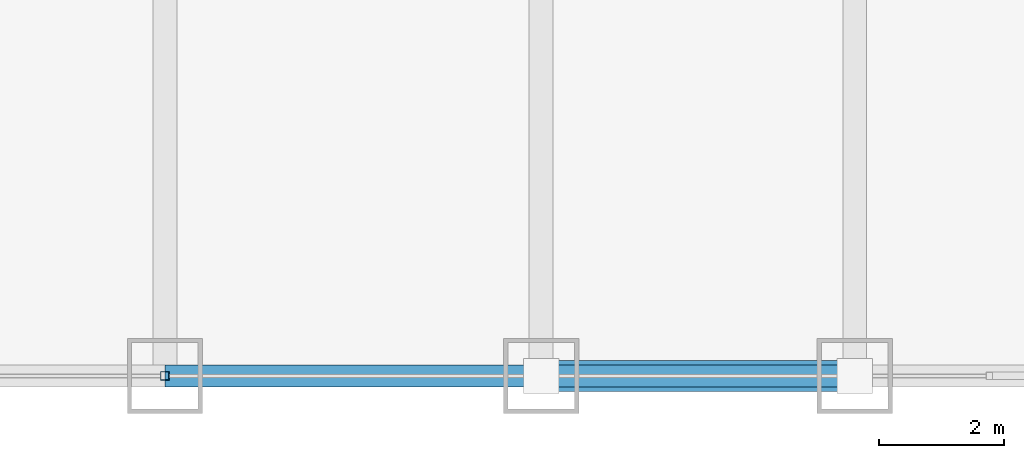
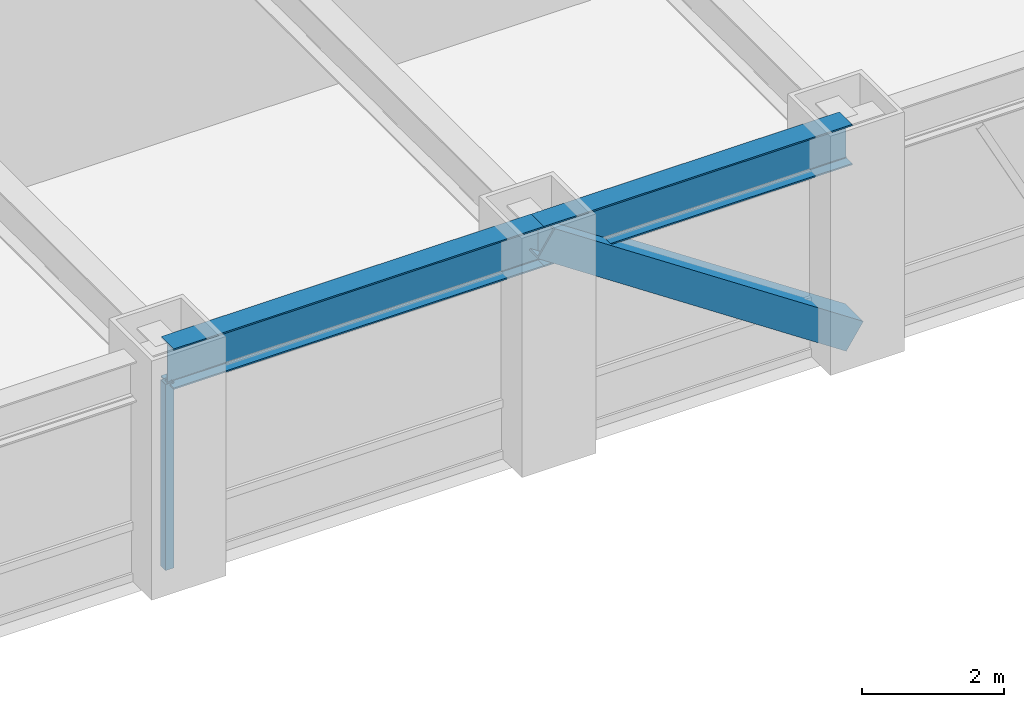
# One storey, part 4 of 28: 2 beams, 2 members, 1 element without a shape of its own.
"""IFC4 building model written with IfcOpenShell, lengths in metres."""

from ifc_helpers import new_model, si_unit, direction, frame, origin, origin_2d, place, context, subcontext, project, spatial, hollow_rectangle, i_section, extrude, source, transform, mapped, material, material_profile, profile_set, type_object, element, aggregate, save


model = new_model("IFC4")

# Units and contexts
model_context = context("Model", 3, precision=1e-05, world=origin(), true_north=direction((0.0, 1.0)))
body_context = subcontext(model_context, "Body", "Model", "MODEL_VIEW")
ifc_project = project(units=[si_unit("LENGTHUNIT", "METRE"), si_unit("AREAUNIT", "SQUARE_METRE"), si_unit("VOLUMEUNIT", "CUBIC_METRE"), si_unit("PLANEANGLEUNIT", "RADIAN"), si_unit("MASSUNIT", "GRAM", prefix="KILO")], contexts=[model_context])

# Site, building, storey
site_placement = place(None, origin())
site = spatial("IfcSite", under=ifc_project, at=site_placement, CompositionType="ELEMENT")
building_placement = place(site_placement, origin())
building = spatial("IfcBuilding", under=site, at=building_placement, Name="Khorayat Bourse Tower", CompositionType="ELEMENT")
storey_placement = place(building_placement, frame((0.0, 0.0, 116.0)))
storey = spatial("IfcBuildingStorey", under=building, at=storey_placement, Name="L26", CompositionType="ELEMENT", Elevation=116.0)

# Beams
ifc_material_1 = material(Name="Steel ASTM A992 Grade 50", Category="steel")
ifc_material_profile_1 = material_profile(ifc_material_1, i_section(OverallWidth=0.35498046875, OverallDepth=0.695068359375, WebThickness=0.015380859375, FlangeThickness=0.02490234375, FilletRadius=0.01806640625, at=origin_2d()), Name="W690X217")
ifc_profile_set_1 = profile_set([ifc_material_profile_1], Name="Steel ASTM A992 Grade 50")
beam_type = type_object("IfcBeamType", Name="BM-SPAN-690", PredefinedType="SPANDREL", material=ifc_profile_set_1)
shared_shape_1 = source(origin(), body_context, "Body", "SweptSolid", [
    extrude(i_section(OverallWidth=0.35498046875, OverallDepth=0.695068359375, WebThickness=0.015380859375, FlangeThickness=0.02490234375, FilletRadius=0.01806640625, at=origin_2d()), origin(), (0.0, 0.0, 1.0), 5.0),
])
beam_1_placement = place(storey_placement, frame((6.0, -32.0, 3.492431640625), z_axis=(1.0, 0.0, 0.0), x_axis=(0.0, 1.0, 0.0)))
element("IfcBeam", 1, at=beam_1_placement, inside=storey, type_object=beam_type, Name="L26 BM-SPAN-690 BM-L26-SPN-029", PredefinedType="SPANDREL", context=body_context, shape_type="MappedRepresentation", body=[
    mapped(shared_shape_1, transform((0.0, 0.0, 0.0), scale=1.0)),
])
shared_shape_2 = source(origin(), body_context, "Body", "SweptSolid", [
    extrude(i_section(OverallWidth=0.35498046875, OverallDepth=0.695068359375, WebThickness=0.015380859375, FlangeThickness=0.02490234375, FilletRadius=0.01806640625, at=origin_2d()), origin(), (0.0, 0.0, 1.0), 6.0),
])
beam_2_placement = place(storey_placement, frame((0.0, -32.0, 3.492431640625), z_axis=(1.0, 0.0, 0.0), x_axis=(0.0, 1.0, 0.0)))
element("IfcBeam", 2, at=beam_2_placement, inside=storey, type_object=beam_type, Name="L26 BM-SPAN-690 BM-L26-SPN-028", PredefinedType="SPANDREL", context=body_context, shape_type="MappedRepresentation", body=[
    mapped(shared_shape_2, transform((0.0, 0.0, 0.0), scale=1.0)),
])

# Member
ifc_material_2 = material(Name="Steel EN 10025-4 S460M", Category="steel")
ifc_material_profile_2 = material_profile(ifc_material_2, hollow_rectangle(XDim=0.5, YDim=0.5, WallThickness=0.028076171875, at=origin_2d()), Name="HSS 500x500x28")
ifc_profile_set_2 = profile_set([ifc_material_profile_2], Name="Steel EN 10025-4 S460M")
member_type_1 = type_object("IfcMemberType", Name="MBR-TUBE-500", PredefinedType="BRACE", material=ifc_profile_set_2)
shared_shape_3 = source(origin(), body_context, "Body", "SweptSolid", [
    extrude(hollow_rectangle(XDim=0.5, YDim=0.5, WallThickness=0.028076171875, at=origin_2d()), origin(), (0.0, 0.0, 1.0), 6.012939453125),
])
member_1_placement = place(storey_placement, frame((6.0, -32.0, 3.590087890625), z_axis=(0.831531473026, 0.0, -0.555477640745), x_axis=(0.0, 1.0, 0.0)))
element("IfcMember", 3, at=member_1_placement, inside=storey, type_object=member_type_1, Name="L26 Perimeter Tube Brace 02", PredefinedType="BRACE", context=body_context, shape_type="MappedRepresentation", body=[
    mapped(shared_shape_3, transform((0.0, 0.0, 0.0), scale=1.0)),
])

# Curtain wall, member
ifc_material_3 = material(Name="Aluminium EN AW-6063 T6", Category="aluminium")
curtain_wall_type = type_object("IfcCurtainWallType", Name="CW-SYS-02", PredefinedType="NOTDEFINED", material=ifc_material_3)
curtain_wall_placement = place(storey_placement, origin())
curtain_wall = element("IfcCurtainWall", 4, at=curtain_wall_placement, inside=storey, type_object=curtain_wall_type, Name="L26 Curtain Wall CW-L26-S1", PredefinedType="NOTDEFINED")
ifc_material_profile_3 = material_profile(ifc_material_3, hollow_rectangle(XDim=0.139892578125, YDim=0.139892578125, WallThickness=0.006103515625, at=origin_2d()), Name="ALU 140x140x6")
ifc_profile_set_3 = profile_set([ifc_material_profile_3], Name="Aluminium EN AW-6063 T6")
member_type_2 = type_object("IfcMemberType", Name="CWM-VERT-140", PredefinedType="MULLION", material=ifc_profile_set_3)
shared_shape_4 = source(origin(), body_context, "Body", "SweptSolid", [
    extrude(hollow_rectangle(XDim=0.139892578125, YDim=0.139892578125, WallThickness=0.006103515625, at=origin_2d()), origin(), (0.0, 0.0, 1.0), 3.18994140625),
])
member_2_placement = place(storey_placement, frame((0.0, -32.0, 0.0), z_axis=(0.0, 0.0, 1.0), x_axis=(0.0, 1.0, 0.0)))
member_2 = element("IfcMember", 5, at=member_2_placement, type_object=member_type_2, Name="CW-L26-S1 Vertical Mullion 2", PredefinedType="MULLION", context=body_context, shape_type="MappedRepresentation", body=[
    mapped(shared_shape_4, transform((0.0, 0.0, 0.0), scale=1.0)),
])
aggregate(curtain_wall, [member_2])

save(model, "model.ifc")
